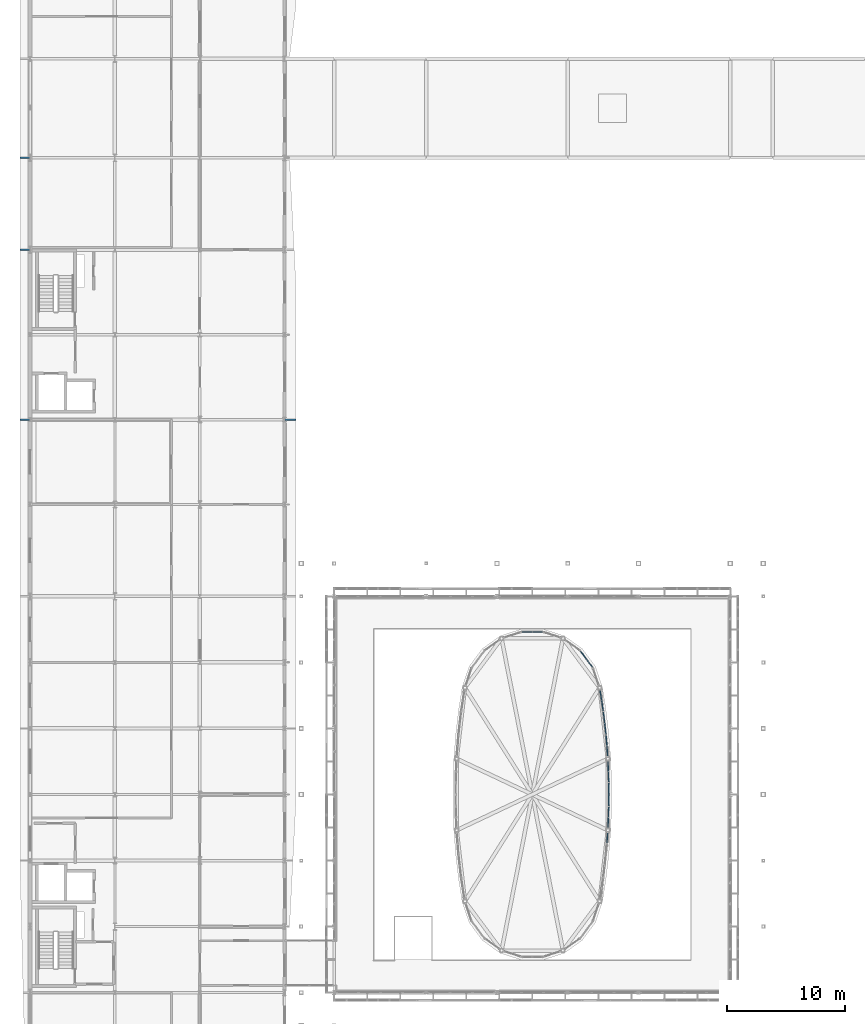
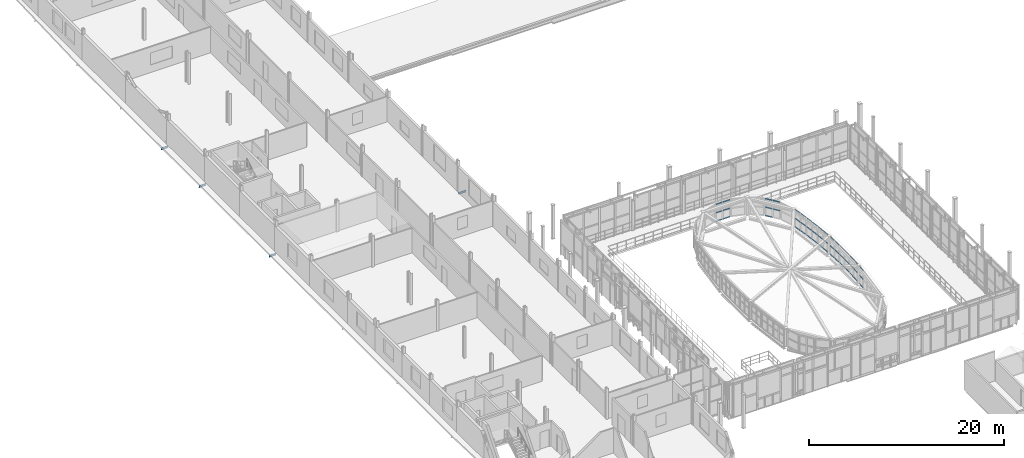
# One storey, part 47 of 78: 50 members, 4 beams, 9 elements without a shape of their own.
"""IFC4 building model written with IfcOpenShell, lengths in metres."""

from ifc_helpers import new_model, si_unit, direction, frame, origin, origin_2d, place, context, subcontext, project, spatial, hollow_rectangle, i_section, extrude, material, layer, layer_set, material_profile, profile_set, type_object, element, aggregate, save


model = new_model("IFC4")

# Units and contexts
model_context = context("Model", 3, precision=1e-05, world=origin(), true_north=direction((0.0, 1.0)))
body_context = subcontext(model_context, "Body", "Model", "MODEL_VIEW")
ifc_project = project(units=[si_unit("LENGTHUNIT", "METRE"), si_unit("AREAUNIT", "SQUARE_METRE"), si_unit("VOLUMEUNIT", "CUBIC_METRE"), si_unit("PLANEANGLEUNIT", "RADIAN"), si_unit("MASSUNIT", "GRAM", prefix="KILO")], contexts=[model_context])

# Site, building, storey
site_placement = place(None, origin())
site = spatial("IfcSite", under=ifc_project, at=site_placement, CompositionType="ELEMENT")
building_placement = place(site_placement, origin())
building = spatial("IfcBuilding", under=site, at=building_placement, Name="Vinh Khe Railworks Police Headquarters", CompositionType="ELEMENT")
storey_placement = place(building_placement, frame((0.0, 0.0, 13.199951171875)))
storey = spatial("IfcBuildingStorey", under=building, at=storey_placement, Name="L03", CompositionType="ELEMENT", Elevation=13.199951171875)

# Beams
ifc_material_1 = material(Name="Steel S355JR", Category="steel")
ifc_material_profile_1 = material_profile(ifc_material_1, i_section(OverallWidth=0.1201171875, OverallDepth=0.239990234375, WebThickness=0.006103515625, FlangeThickness=0.009765625, FilletRadius=0.014892578125, at=origin_2d()), Name="IPE 240")
ifc_profile_set_1 = profile_set([ifc_material_profile_1], Name="Steel S355JR")
beam_type = type_object("IfcBeamType", Name="Monsoon Hood Outrigger IPE 240", PredefinedType="BEAM", material=ifc_profile_set_1)
for number, where, z_axis, x_axis, name in (
    (1, (-0.25, 73.800048828125, -0.35986328125), (1.0, 0.0, 0.0), (0.0, 1.0, 0.0), "Monsoon Sun-Hood Outrigger L03-046"),
    (2, (-0.25, 88.199951171875, -0.35986328125), (1.0, 0.0, 0.0), (0.0, 1.0, 0.0), "Monsoon Sun-Hood Outrigger L03-047"),
    (3, (-0.25, 96.0, -0.35986328125), (1.0, 0.0, 0.0), (0.0, 1.0, 0.0), "Monsoon Sun-Hood Outrigger L03-048"),
):
    element("IfcBeam", number, at=place(storey_placement, frame(where, z_axis=z_axis, x_axis=x_axis)), inside=storey, type_object=beam_type, Name=name, PredefinedType="BEAM", context=body_context, shape_type="SweptSolid", body=[
        extrude(i_section(OverallWidth=0.1201171875, OverallDepth=0.239990234375, WebThickness=0.006103515625, FlangeThickness=0.009765625, FilletRadius=0.014892578125, at=origin_2d()), origin(), (0.0, 0.0, 1.0), 0.85009765625),
    ])
beam_placement = place(storey_placement, frame((22.199951171875, 73.800048828125, -0.35986328125), z_axis=(1.0, 0.0, 0.0), x_axis=(0.0, 1.0, 0.0)))
element("IfcBeam", 4, at=beam_placement, inside=storey, type_object=beam_type, Name="Monsoon Sun-Hood Outrigger L03-056", PredefinedType="BEAM", context=body_context, shape_type="SweptSolid", body=[
    extrude(i_section(OverallWidth=0.1201171875, OverallDepth=0.239990234375, WebThickness=0.006103515625, FlangeThickness=0.009765625, FilletRadius=0.014892578125, at=origin_2d()), origin(), (0.0, 0.0, 1.0), 0.949951171875),
])

# Curtain wall, members
ifc_material_2 = material(Name="Anodised aluminium and acoustic laminated glass", Category="aluminium")
ifc_layer = layer(ifc_material_2, 0.159912109375)
ifc_layer_set = layer_set([ifc_layer], Name="Anodised aluminium and acoustic laminated glass")
curtain_wall_type = type_object("IfcCurtainWallType", Name="CW-DRUM-CHORD", PredefinedType="USERDEFINED", material=ifc_layer_set)
curtain_wall_1_placement = place(storey_placement, origin())
curtain_wall_1 = element("IfcCurtainWall", 5, at=curtain_wall_1_placement, inside=storey, type_object=curtain_wall_type, Name="Elliptical Command Drum Glazing L03 Chord 3", ObjectType="DRUM FACADE GLAZING", PredefinedType="USERDEFINED")
ifc_material_3 = material(Name="Anodised aluminium 6063-T6", Category="aluminium")
ifc_material_profile_2 = material_profile(ifc_material_3, hollow_rectangle(XDim=0.06494140625, YDim=0.139892578125, WallThickness=0.00390625, at=origin_2d()), Name="CW-T 65x140x4")
ifc_profile_set_2 = profile_set([ifc_material_profile_2], Name="Anodised aluminium 6063-T6")
member_type = type_object("IfcMemberType", Name="TRAN-CWT-02", PredefinedType="USERDEFINED", material=ifc_profile_set_2)
member_1_placement = place(storey_placement, frame((49.530029296875, 37.9013671875, 0.032470703125), z_axis=(0.076855340427, 0.997042254194, 0.0), x_axis=(-0.997042254194, 0.076855340427, 0.0)))
member_1 = element("IfcMember", 6, at=member_1_placement, type_object=member_type, Name="CW-02 transom 2.1", ObjectType="TRANSOM", PredefinedType="USERDEFINED", context=body_context, shape_type="SweptSolid", body=[
    extrude(hollow_rectangle(XDim=0.06494140625, YDim=0.139892578125, WallThickness=0.00390625, at=origin_2d()), origin(), (0.0, 0.0, 1.0), 0.82275390625),
])
member_2_placement = place(storey_placement, frame((49.530029296875, 37.9013671875, 1.090087890625), z_axis=(0.076855340427, 0.997042254194, 0.0), x_axis=(-0.997042254194, 0.076855340427, 0.0)))
member_2 = element("IfcMember", 7, at=member_2_placement, type_object=member_type, Name="CW-02 transom 2.2", ObjectType="TRANSOM", PredefinedType="USERDEFINED", context=body_context, shape_type="SweptSolid", body=[
    extrude(hollow_rectangle(XDim=0.06494140625, YDim=0.139892578125, WallThickness=0.00390625, at=origin_2d()), origin(), (0.0, 0.0, 1.0), 0.82275390625),
])
member_3_placement = place(storey_placement, frame((49.530029296875, 37.9013671875, 2.1474609375), z_axis=(0.076855340427, 0.997042254194, 0.0), x_axis=(-0.997042254194, 0.076855340427, 0.0)))
member_3 = element("IfcMember", 8, at=member_3_placement, type_object=member_type, Name="CW-02 transom 2.3", ObjectType="TRANSOM", PredefinedType="USERDEFINED", context=body_context, shape_type="SweptSolid", body=[
    extrude(hollow_rectangle(XDim=0.06494140625, YDim=0.139892578125, WallThickness=0.00390625, at=origin_2d()), origin(), (0.0, 0.0, 1.0), 0.82275390625),
])
aggregate(curtain_wall_1, [member_1, member_2, member_3])

curtain_wall_2_placement = place(storey_placement, origin())
curtain_wall_2 = element("IfcCurtainWall", 9, at=curtain_wall_2_placement, inside=storey, type_object=curtain_wall_type, Name="Elliptical Command Drum Glazing L03 Chord 4", ObjectType="DRUM FACADE GLAZING", PredefinedType="USERDEFINED")
member_4_placement = place(storey_placement, frame((49.621826171875, 39.214599609375, 0.032470703125), z_axis=(0.038569853867, 0.999255906349, 0.0), x_axis=(-0.999255906349, 0.038569853867, 0.0)))
member_4 = element("IfcMember", 10, at=member_4_placement, type_object=member_type, Name="CW-02 transom 1.1", ObjectType="TRANSOM", PredefinedType="USERDEFINED", context=body_context, shape_type="SweptSolid", body=[
    extrude(hollow_rectangle(XDim=0.06494140625, YDim=0.139892578125, WallThickness=0.00390625, at=origin_2d()), origin(), (0.0, 0.0, 1.0), 0.822998046875),
])
member_5_placement = place(storey_placement, frame((49.621826171875, 39.214599609375, 1.090087890625), z_axis=(0.038569853867, 0.999255906349, 0.0), x_axis=(-0.999255906349, 0.038569853867, 0.0)))
member_5 = element("IfcMember", 11, at=member_5_placement, type_object=member_type, Name="CW-02 transom 1.2", ObjectType="TRANSOM", PredefinedType="USERDEFINED", context=body_context, shape_type="SweptSolid", body=[
    extrude(hollow_rectangle(XDim=0.06494140625, YDim=0.139892578125, WallThickness=0.00390625, at=origin_2d()), origin(), (0.0, 0.0, 1.0), 0.822998046875),
])
member_6_placement = place(storey_placement, frame((49.621826171875, 39.214599609375, 2.1474609375), z_axis=(0.038569853867, 0.999255906349, 0.0), x_axis=(-0.999255906349, 0.038569853867, 0.0)))
member_6 = element("IfcMember", 12, at=member_6_placement, type_object=member_type, Name="CW-02 transom 1.3", ObjectType="TRANSOM", PredefinedType="USERDEFINED", context=body_context, shape_type="SweptSolid", body=[
    extrude(hollow_rectangle(XDim=0.06494140625, YDim=0.139892578125, WallThickness=0.00390625, at=origin_2d()), origin(), (0.0, 0.0, 1.0), 0.822998046875),
])
member_7_placement = place(storey_placement, frame((49.656005859375, 40.101806640625, 0.032470703125), z_axis=(0.038581292077, 0.999255464785, 0.0), x_axis=(-0.999255464785, 0.038581292077, 0.0)))
member_7 = element("IfcMember", 13, at=member_7_placement, type_object=member_type, Name="CW-02 transom 2.1", ObjectType="TRANSOM", PredefinedType="USERDEFINED", context=body_context, shape_type="SweptSolid", body=[
    extrude(hollow_rectangle(XDim=0.06494140625, YDim=0.139892578125, WallThickness=0.00390625, at=origin_2d()), origin(), (0.0, 0.0, 1.0), 0.82275390625),
])
member_8_placement = place(storey_placement, frame((49.656005859375, 40.101806640625, 1.090087890625), z_axis=(0.038581292077, 0.999255464785, 0.0), x_axis=(-0.999255464785, 0.038581292077, 0.0)))
member_8 = element("IfcMember", 14, at=member_8_placement, type_object=member_type, Name="CW-02 transom 2.2", ObjectType="TRANSOM", PredefinedType="USERDEFINED", context=body_context, shape_type="SweptSolid", body=[
    extrude(hollow_rectangle(XDim=0.06494140625, YDim=0.139892578125, WallThickness=0.00390625, at=origin_2d()), origin(), (0.0, 0.0, 1.0), 0.82275390625),
])
member_9_placement = place(storey_placement, frame((49.656005859375, 40.101806640625, 2.1474609375), z_axis=(0.038581292077, 0.999255464785, 0.0), x_axis=(-0.999255464785, 0.038581292077, 0.0)))
member_9 = element("IfcMember", 15, at=member_9_placement, type_object=member_type, Name="CW-02 transom 2.3", ObjectType="TRANSOM", PredefinedType="USERDEFINED", context=body_context, shape_type="SweptSolid", body=[
    extrude(hollow_rectangle(XDim=0.06494140625, YDim=0.139892578125, WallThickness=0.00390625, at=origin_2d()), origin(), (0.0, 0.0, 1.0), 0.82275390625),
])
aggregate(curtain_wall_2, [member_4, member_5, member_6, member_7, member_8, member_9])

curtain_wall_3_placement = place(storey_placement, origin())
curtain_wall_3 = element("IfcCurtainWall", 16, at=curtain_wall_3_placement, inside=storey, type_object=curtain_wall_type, Name="Elliptical Command Drum Glazing L03 Chord 5", ObjectType="DRUM FACADE GLAZING", PredefinedType="USERDEFINED")
member_10_placement = place(storey_placement, frame((49.690185546875, 41.0537109375, 0.032470703125), z_axis=(0.0, 1.0, 0.0), x_axis=(-1.0, 0.0, 0.0)))
member_10 = element("IfcMember", 17, at=member_10_placement, type_object=member_type, Name="CW-02 transom 1.1", ObjectType="TRANSOM", PredefinedType="USERDEFINED", context=body_context, shape_type="SweptSolid", body=[
    extrude(hollow_rectangle(XDim=0.06494140625, YDim=0.139892578125, WallThickness=0.00390625, at=origin_2d()), origin(), (0.0, 0.0, 1.0), 0.913818359375),
])
member_11_placement = place(storey_placement, frame((49.690185546875, 41.0537109375, 1.090087890625), z_axis=(0.0, 1.0, 0.0), x_axis=(-1.0, 0.0, 0.0)))
member_11 = element("IfcMember", 18, at=member_11_placement, type_object=member_type, Name="CW-02 transom 1.2", ObjectType="TRANSOM", PredefinedType="USERDEFINED", context=body_context, shape_type="SweptSolid", body=[
    extrude(hollow_rectangle(XDim=0.06494140625, YDim=0.139892578125, WallThickness=0.00390625, at=origin_2d()), origin(), (0.0, 0.0, 1.0), 0.913818359375),
])
member_12_placement = place(storey_placement, frame((49.690185546875, 41.0537109375, 2.1474609375), z_axis=(0.0, 1.0, 0.0), x_axis=(-1.0, 0.0, 0.0)))
member_12 = element("IfcMember", 19, at=member_12_placement, type_object=member_type, Name="CW-02 transom 1.3", ObjectType="TRANSOM", PredefinedType="USERDEFINED", context=body_context, shape_type="SweptSolid", body=[
    extrude(hollow_rectangle(XDim=0.06494140625, YDim=0.139892578125, WallThickness=0.00390625, at=origin_2d()), origin(), (0.0, 0.0, 1.0), 0.913818359375),
])
member_13_placement = place(storey_placement, frame((49.690185546875, 42.032470703125, 0.032470703125), z_axis=(0.0, 1.0, 0.0), x_axis=(-1.0, 0.0, 0.0)))
member_13 = element("IfcMember", 20, at=member_13_placement, type_object=member_type, Name="CW-02 transom 2.1", ObjectType="TRANSOM", PredefinedType="USERDEFINED", context=body_context, shape_type="SweptSolid", body=[
    extrude(hollow_rectangle(XDim=0.06494140625, YDim=0.139892578125, WallThickness=0.00390625, at=origin_2d()), origin(), (0.0, 0.0, 1.0), 0.913818359375),
])
member_14_placement = place(storey_placement, frame((49.690185546875, 42.032470703125, 1.090087890625), z_axis=(0.0, 1.0, 0.0), x_axis=(-1.0, 0.0, 0.0)))
member_14 = element("IfcMember", 21, at=member_14_placement, type_object=member_type, Name="CW-02 transom 2.2", ObjectType="TRANSOM", PredefinedType="USERDEFINED", context=body_context, shape_type="SweptSolid", body=[
    extrude(hollow_rectangle(XDim=0.06494140625, YDim=0.139892578125, WallThickness=0.00390625, at=origin_2d()), origin(), (0.0, 0.0, 1.0), 0.913818359375),
])
member_15_placement = place(storey_placement, frame((49.690185546875, 42.032470703125, 2.1474609375), z_axis=(0.0, 1.0, 0.0), x_axis=(-1.0, 0.0, 0.0)))
member_15 = element("IfcMember", 22, at=member_15_placement, type_object=member_type, Name="CW-02 transom 2.3", ObjectType="TRANSOM", PredefinedType="USERDEFINED", context=body_context, shape_type="SweptSolid", body=[
    extrude(hollow_rectangle(XDim=0.06494140625, YDim=0.139892578125, WallThickness=0.00390625, at=origin_2d()), origin(), (0.0, 0.0, 1.0), 0.913818359375),
])
aggregate(curtain_wall_3, [member_10, member_11, member_12, member_13, member_14, member_15])

curtain_wall_4_placement = place(storey_placement, origin())
curtain_wall_4 = element("IfcCurtainWall", 23, at=curtain_wall_4_placement, inside=storey, type_object=curtain_wall_type, Name="Elliptical Command Drum Glazing L03 Chord 6", ObjectType="DRUM FACADE GLAZING", PredefinedType="USERDEFINED")
member_16_placement = place(storey_placement, frame((49.687744140625, 43.076171875, 0.032470703125), z_axis=(-0.038581292077, 0.999255464785, 0.0), x_axis=(-0.999255464785, -0.038581292077, 0.0)))
member_16 = element("IfcMember", 24, at=member_16_placement, type_object=member_type, Name="CW-02 transom 1.1", ObjectType="TRANSOM", PredefinedType="USERDEFINED", context=body_context, shape_type="SweptSolid", body=[
    extrude(hollow_rectangle(XDim=0.06494140625, YDim=0.139892578125, WallThickness=0.00390625, at=origin_2d()), origin(), (0.0, 0.0, 1.0), 0.82275390625),
])
member_17_placement = place(storey_placement, frame((49.687744140625, 43.076171875, 1.090087890625), z_axis=(-0.038581292077, 0.999255464785, 0.0), x_axis=(-0.999255464785, -0.038581292077, 0.0)))
member_17 = element("IfcMember", 25, at=member_17_placement, type_object=member_type, Name="CW-02 transom 1.2", ObjectType="TRANSOM", PredefinedType="USERDEFINED", context=body_context, shape_type="SweptSolid", body=[
    extrude(hollow_rectangle(XDim=0.06494140625, YDim=0.139892578125, WallThickness=0.00390625, at=origin_2d()), origin(), (0.0, 0.0, 1.0), 0.82275390625),
])
member_18_placement = place(storey_placement, frame((49.687744140625, 43.076171875, 2.1474609375), z_axis=(-0.038581292077, 0.999255464785, 0.0), x_axis=(-0.999255464785, -0.038581292077, 0.0)))
member_18 = element("IfcMember", 26, at=member_18_placement, type_object=member_type, Name="CW-02 transom 1.3", ObjectType="TRANSOM", PredefinedType="USERDEFINED", context=body_context, shape_type="SweptSolid", body=[
    extrude(hollow_rectangle(XDim=0.06494140625, YDim=0.139892578125, WallThickness=0.00390625, at=origin_2d()), origin(), (0.0, 0.0, 1.0), 0.82275390625),
])
member_19_placement = place(storey_placement, frame((49.653564453125, 43.963134765625, 0.032470703125), z_axis=(-0.038569853867, 0.999255906349, 0.0), x_axis=(-0.999255906349, -0.038569853867, 0.0)))
member_19 = element("IfcMember", 27, at=member_19_placement, type_object=member_type, Name="CW-02 transom 2.1", ObjectType="TRANSOM", PredefinedType="USERDEFINED", context=body_context, shape_type="SweptSolid", body=[
    extrude(hollow_rectangle(XDim=0.06494140625, YDim=0.139892578125, WallThickness=0.00390625, at=origin_2d()), origin(), (0.0, 0.0, 1.0), 0.822998046875),
])
member_20_placement = place(storey_placement, frame((49.653564453125, 43.963134765625, 1.090087890625), z_axis=(-0.038569853867, 0.999255906349, 0.0), x_axis=(-0.999255906349, -0.038569853867, 0.0)))
member_20 = element("IfcMember", 28, at=member_20_placement, type_object=member_type, Name="CW-02 transom 2.2", ObjectType="TRANSOM", PredefinedType="USERDEFINED", context=body_context, shape_type="SweptSolid", body=[
    extrude(hollow_rectangle(XDim=0.06494140625, YDim=0.139892578125, WallThickness=0.00390625, at=origin_2d()), origin(), (0.0, 0.0, 1.0), 0.822998046875),
])
member_21_placement = place(storey_placement, frame((49.653564453125, 43.963134765625, 2.1474609375), z_axis=(-0.038569853867, 0.999255906349, 0.0), x_axis=(-0.999255906349, -0.038569853867, 0.0)))
member_21 = element("IfcMember", 29, at=member_21_placement, type_object=member_type, Name="CW-02 transom 2.3", ObjectType="TRANSOM", PredefinedType="USERDEFINED", context=body_context, shape_type="SweptSolid", body=[
    extrude(hollow_rectangle(XDim=0.06494140625, YDim=0.139892578125, WallThickness=0.00390625, at=origin_2d()), origin(), (0.0, 0.0, 1.0), 0.822998046875),
])
aggregate(curtain_wall_4, [member_16, member_17, member_18, member_19, member_20, member_21])

curtain_wall_5_placement = place(storey_placement, origin())
curtain_wall_5 = element("IfcCurtainWall", 30, at=curtain_wall_5_placement, inside=storey, type_object=curtain_wall_type, Name="Elliptical Command Drum Glazing L03 Chord 7", ObjectType="DRUM FACADE GLAZING", PredefinedType="USERDEFINED")
member_22_placement = place(storey_placement, frame((49.59326171875, 45.2783203125, 0.032470703125), z_axis=(-0.076855340427, 0.997042254194, 0.0), x_axis=(-0.997042254194, -0.076855340427, 0.0)))
member_22 = element("IfcMember", 31, at=member_22_placement, type_object=member_type, Name="CW-02 transom 1.1", ObjectType="TRANSOM", PredefinedType="USERDEFINED", context=body_context, shape_type="SweptSolid", body=[
    extrude(hollow_rectangle(XDim=0.06494140625, YDim=0.139892578125, WallThickness=0.00390625, at=origin_2d()), origin(), (0.0, 0.0, 1.0), 0.82275390625),
])
member_23_placement = place(storey_placement, frame((49.59326171875, 45.2783203125, 1.090087890625), z_axis=(-0.076855340427, 0.997042254194, 0.0), x_axis=(-0.997042254194, -0.076855340427, 0.0)))
member_23 = element("IfcMember", 32, at=member_23_placement, type_object=member_type, Name="CW-02 transom 1.2", ObjectType="TRANSOM", PredefinedType="USERDEFINED", context=body_context, shape_type="SweptSolid", body=[
    extrude(hollow_rectangle(XDim=0.06494140625, YDim=0.139892578125, WallThickness=0.00390625, at=origin_2d()), origin(), (0.0, 0.0, 1.0), 0.82275390625),
])
member_24_placement = place(storey_placement, frame((49.59326171875, 45.2783203125, 2.1474609375), z_axis=(-0.076855340427, 0.997042254194, 0.0), x_axis=(-0.997042254194, -0.076855340427, 0.0)))
member_24 = element("IfcMember", 33, at=member_24_placement, type_object=member_type, Name="CW-02 transom 1.3", ObjectType="TRANSOM", PredefinedType="USERDEFINED", context=body_context, shape_type="SweptSolid", body=[
    extrude(hollow_rectangle(XDim=0.06494140625, YDim=0.139892578125, WallThickness=0.00390625, at=origin_2d()), origin(), (0.0, 0.0, 1.0), 0.82275390625),
])
member_25_placement = place(storey_placement, frame((49.525146484375, 46.163330078125, 0.032470703125), z_axis=(-0.07715031633, 0.997019472573, 0.0), x_axis=(-0.997019472573, -0.07715031633, 0.0)))
member_25 = element("IfcMember", 34, at=member_25_placement, type_object=member_type, Name="CW-02 transom 2.1", ObjectType="TRANSOM", PredefinedType="USERDEFINED", context=body_context, shape_type="SweptSolid", body=[
    extrude(hollow_rectangle(XDim=0.06494140625, YDim=0.139892578125, WallThickness=0.00390625, at=origin_2d()), origin(), (0.0, 0.0, 1.0), 0.82275390625),
])
member_26_placement = place(storey_placement, frame((49.525146484375, 46.163330078125, 1.090087890625), z_axis=(-0.07715031633, 0.997019472573, 0.0), x_axis=(-0.997019472573, -0.07715031633, 0.0)))
member_26 = element("IfcMember", 35, at=member_26_placement, type_object=member_type, Name="CW-02 transom 2.2", ObjectType="TRANSOM", PredefinedType="USERDEFINED", context=body_context, shape_type="SweptSolid", body=[
    extrude(hollow_rectangle(XDim=0.06494140625, YDim=0.139892578125, WallThickness=0.00390625, at=origin_2d()), origin(), (0.0, 0.0, 1.0), 0.82275390625),
])
member_27_placement = place(storey_placement, frame((49.525146484375, 46.163330078125, 2.1474609375), z_axis=(-0.07715031633, 0.997019472573, 0.0), x_axis=(-0.997019472573, -0.07715031633, 0.0)))
member_27 = element("IfcMember", 36, at=member_27_placement, type_object=member_type, Name="CW-02 transom 2.3", ObjectType="TRANSOM", PredefinedType="USERDEFINED", context=body_context, shape_type="SweptSolid", body=[
    extrude(hollow_rectangle(XDim=0.06494140625, YDim=0.139892578125, WallThickness=0.00390625, at=origin_2d()), origin(), (0.0, 0.0, 1.0), 0.82275390625),
])
aggregate(curtain_wall_5, [member_22, member_23, member_24, member_25, member_26, member_27])

curtain_wall_6_placement = place(storey_placement, origin())
curtain_wall_6 = element("IfcCurtainWall", 37, at=curtain_wall_6_placement, inside=storey, type_object=curtain_wall_type, Name="Elliptical Command Drum Glazing L03 Chord 8", ObjectType="DRUM FACADE GLAZING", PredefinedType="USERDEFINED")
member_28_placement = place(storey_placement, frame((49.44921875, 47.113037109375, 0.032470703125), z_axis=(-0.115415034378, 0.993317356055, 0.0), x_axis=(-0.993317356055, -0.115415034378, 0.0)))
member_28 = element("IfcMember", 38, at=member_28_placement, type_object=member_type, Name="CW-02 transom 1.1", ObjectType="TRANSOM", PredefinedType="USERDEFINED", context=body_context, shape_type="SweptSolid", body=[
    extrude(hollow_rectangle(XDim=0.06494140625, YDim=0.139892578125, WallThickness=0.00390625, at=origin_2d()), origin(), (0.0, 0.0, 1.0), 0.913818359375),
])
member_29_placement = place(storey_placement, frame((49.44921875, 47.113037109375, 1.090087890625), z_axis=(-0.115415034378, 0.993317356055, 0.0), x_axis=(-0.993317356055, -0.115415034378, 0.0)))
member_29 = element("IfcMember", 39, at=member_29_placement, type_object=member_type, Name="CW-02 transom 1.2", ObjectType="TRANSOM", PredefinedType="USERDEFINED", context=body_context, shape_type="SweptSolid", body=[
    extrude(hollow_rectangle(XDim=0.06494140625, YDim=0.139892578125, WallThickness=0.00390625, at=origin_2d()), origin(), (0.0, 0.0, 1.0), 0.913818359375),
])
member_30_placement = place(storey_placement, frame((49.44921875, 47.113037109375, 2.1474609375), z_axis=(-0.115415034378, 0.993317356055, 0.0), x_axis=(-0.993317356055, -0.115415034378, 0.0)))
member_30 = element("IfcMember", 40, at=member_30_placement, type_object=member_type, Name="CW-02 transom 1.3", ObjectType="TRANSOM", PredefinedType="USERDEFINED", context=body_context, shape_type="SweptSolid", body=[
    extrude(hollow_rectangle(XDim=0.06494140625, YDim=0.139892578125, WallThickness=0.00390625, at=origin_2d()), origin(), (0.0, 0.0, 1.0), 0.913818359375),
])
member_31_placement = place(storey_placement, frame((49.33642578125, 48.085205078125, 0.032470703125), z_axis=(-0.115415034378, 0.993317356055, 0.0), x_axis=(-0.993317356055, -0.115415034378, 0.0)))
member_31 = element("IfcMember", 41, at=member_31_placement, type_object=member_type, Name="CW-02 transom 2.1", ObjectType="TRANSOM", PredefinedType="USERDEFINED", context=body_context, shape_type="SweptSolid", body=[
    extrude(hollow_rectangle(XDim=0.06494140625, YDim=0.139892578125, WallThickness=0.00390625, at=origin_2d()), origin(), (0.0, 0.0, 1.0), 0.913818359375),
])
member_32_placement = place(storey_placement, frame((49.33642578125, 48.085205078125, 1.090087890625), z_axis=(-0.115415034378, 0.993317356055, 0.0), x_axis=(-0.993317356055, -0.115415034378, 0.0)))
member_32 = element("IfcMember", 42, at=member_32_placement, type_object=member_type, Name="CW-02 transom 2.2", ObjectType="TRANSOM", PredefinedType="USERDEFINED", context=body_context, shape_type="SweptSolid", body=[
    extrude(hollow_rectangle(XDim=0.06494140625, YDim=0.139892578125, WallThickness=0.00390625, at=origin_2d()), origin(), (0.0, 0.0, 1.0), 0.913818359375),
])
member_33_placement = place(storey_placement, frame((49.33642578125, 48.085205078125, 2.1474609375), z_axis=(-0.115415034378, 0.993317356055, 0.0), x_axis=(-0.993317356055, -0.115415034378, 0.0)))
member_33 = element("IfcMember", 43, at=member_33_placement, type_object=member_type, Name="CW-02 transom 2.3", ObjectType="TRANSOM", PredefinedType="USERDEFINED", context=body_context, shape_type="SweptSolid", body=[
    extrude(hollow_rectangle(XDim=0.06494140625, YDim=0.139892578125, WallThickness=0.00390625, at=origin_2d()), origin(), (0.0, 0.0, 1.0), 0.913818359375),
])
aggregate(curtain_wall_6, [member_28, member_29, member_30, member_31, member_32, member_33])

curtain_wall_7_placement = place(storey_placement, origin())
curtain_wall_7 = element("IfcCurtainWall", 44, at=curtain_wall_7_placement, inside=storey, type_object=curtain_wall_type, Name="Elliptical Command Drum Glazing L03 Chord 9", ObjectType="DRUM FACADE GLAZING", PredefinedType="USERDEFINED")
member_34_placement = place(storey_placement, frame((49.213623046875, 49.12158203125, 0.032470703125), z_axis=(-0.153707006282, 0.988116468955, 0.0), x_axis=(-0.988116468955, -0.153707006282, 0.0)))
member_34 = element("IfcMember", 45, at=member_34_placement, type_object=member_type, Name="CW-02 transom 1.1", ObjectType="TRANSOM", PredefinedType="USERDEFINED", context=body_context, shape_type="SweptSolid", body=[
    extrude(hollow_rectangle(XDim=0.06494140625, YDim=0.139892578125, WallThickness=0.00390625, at=origin_2d()), origin(), (0.0, 0.0, 1.0), 0.82275390625),
])
member_35_placement = place(storey_placement, frame((49.213623046875, 49.12158203125, 1.090087890625), z_axis=(-0.153707006282, 0.988116468955, 0.0), x_axis=(-0.988116468955, -0.153707006282, 0.0)))
member_35 = element("IfcMember", 46, at=member_35_placement, type_object=member_type, Name="CW-02 transom 1.2", ObjectType="TRANSOM", PredefinedType="USERDEFINED", context=body_context, shape_type="SweptSolid", body=[
    extrude(hollow_rectangle(XDim=0.06494140625, YDim=0.139892578125, WallThickness=0.00390625, at=origin_2d()), origin(), (0.0, 0.0, 1.0), 0.82275390625),
])
member_36_placement = place(storey_placement, frame((49.213623046875, 49.12158203125, 2.1474609375), z_axis=(-0.153707006282, 0.988116468955, 0.0), x_axis=(-0.988116468955, -0.153707006282, 0.0)))
member_36 = element("IfcMember", 47, at=member_36_placement, type_object=member_type, Name="CW-02 transom 1.3", ObjectType="TRANSOM", PredefinedType="USERDEFINED", context=body_context, shape_type="SweptSolid", body=[
    extrude(hollow_rectangle(XDim=0.06494140625, YDim=0.139892578125, WallThickness=0.00390625, at=origin_2d()), origin(), (0.0, 0.0, 1.0), 0.82275390625),
])
member_37_placement = place(storey_placement, frame((49.0771484375, 49.998779296875, 0.032470703125), z_axis=(-0.153417265336, 0.988161496263, 0.0), x_axis=(-0.988161496263, -0.153417265336, 0.0)))
member_37 = element("IfcMember", 48, at=member_37_placement, type_object=member_type, Name="CW-02 transom 2.1", ObjectType="TRANSOM", PredefinedType="USERDEFINED", context=body_context, shape_type="SweptSolid", body=[
    extrude(hollow_rectangle(XDim=0.06494140625, YDim=0.139892578125, WallThickness=0.00390625, at=origin_2d()), origin(), (0.0, 0.0, 1.0), 0.82275390625),
])
member_38_placement = place(storey_placement, frame((49.0771484375, 49.998779296875, 1.090087890625), z_axis=(-0.153417265336, 0.988161496263, 0.0), x_axis=(-0.988161496263, -0.153417265336, 0.0)))
member_38 = element("IfcMember", 49, at=member_38_placement, type_object=member_type, Name="CW-02 transom 2.2", ObjectType="TRANSOM", PredefinedType="USERDEFINED", context=body_context, shape_type="SweptSolid", body=[
    extrude(hollow_rectangle(XDim=0.06494140625, YDim=0.139892578125, WallThickness=0.00390625, at=origin_2d()), origin(), (0.0, 0.0, 1.0), 0.82275390625),
])
member_39_placement = place(storey_placement, frame((49.0771484375, 49.998779296875, 2.1474609375), z_axis=(-0.153417265336, 0.988161496263, 0.0), x_axis=(-0.988161496263, -0.153417265336, 0.0)))
member_39 = element("IfcMember", 50, at=member_39_placement, type_object=member_type, Name="CW-02 transom 2.3", ObjectType="TRANSOM", PredefinedType="USERDEFINED", context=body_context, shape_type="SweptSolid", body=[
    extrude(hollow_rectangle(XDim=0.06494140625, YDim=0.139892578125, WallThickness=0.00390625, at=origin_2d()), origin(), (0.0, 0.0, 1.0), 0.82275390625),
])
aggregate(curtain_wall_7, [member_34, member_35, member_36, member_37, member_38, member_39])

curtain_wall_8_placement = place(storey_placement, origin())
curtain_wall_8 = element("IfcCurtainWall", 51, at=curtain_wall_8_placement, inside=storey, type_object=curtain_wall_type, Name="Elliptical Command Drum Glazing L03 Chord 11", ObjectType="DRUM FACADE GLAZING", PredefinedType="USERDEFINED")
member_40_placement = place(storey_placement, frame((48.29541015625, 52.805908203125, 1.090087890625), z_axis=(-0.596672514384, 0.802484835108, 0.0), x_axis=(-0.802484835108, -0.596672514384, 0.0)))
member_40 = element("IfcMember", 52, at=member_40_placement, type_object=member_type, Name="CW-02 transom 1.2", ObjectType="TRANSOM", PredefinedType="USERDEFINED", context=body_context, shape_type="SweptSolid", body=[
    extrude(hollow_rectangle(XDim=0.06494140625, YDim=0.139892578125, WallThickness=0.00390625, at=origin_2d()), origin(), (0.0, 0.0, 1.0), 0.799560546875),
])
member_41_placement = place(storey_placement, frame((48.29541015625, 52.805908203125, 2.1474609375), z_axis=(-0.596672514384, 0.802484835108, 0.0), x_axis=(-0.802484835108, -0.596672514384, 0.0)))
member_41 = element("IfcMember", 53, at=member_41_placement, type_object=member_type, Name="CW-02 transom 1.3", ObjectType="TRANSOM", PredefinedType="USERDEFINED", context=body_context, shape_type="SweptSolid", body=[
    extrude(hollow_rectangle(XDim=0.06494140625, YDim=0.139892578125, WallThickness=0.00390625, at=origin_2d()), origin(), (0.0, 0.0, 1.0), 0.799560546875),
])
member_42_placement = place(storey_placement, frame((47.779541015625, 53.499755859375, 0.032470703125), z_axis=(-0.596475814623, 0.802631050091, 0.0), x_axis=(-0.802631050091, -0.596475814623, 0.0)))
member_42 = element("IfcMember", 54, at=member_42_placement, type_object=member_type, Name="CW-02 transom 2.1", ObjectType="TRANSOM", PredefinedType="USERDEFINED", context=body_context, shape_type="SweptSolid", body=[
    extrude(hollow_rectangle(XDim=0.06494140625, YDim=0.139892578125, WallThickness=0.00390625, at=origin_2d()), origin(), (0.0, 0.0, 1.0), 0.79931640625),
])
member_43_placement = place(storey_placement, frame((47.779541015625, 53.499755859375, 1.090087890625), z_axis=(-0.596475814623, 0.802631050091, 0.0), x_axis=(-0.802631050091, -0.596475814623, 0.0)))
member_43 = element("IfcMember", 55, at=member_43_placement, type_object=member_type, Name="CW-02 transom 2.2", ObjectType="TRANSOM", PredefinedType="USERDEFINED", context=body_context, shape_type="SweptSolid", body=[
    extrude(hollow_rectangle(XDim=0.06494140625, YDim=0.139892578125, WallThickness=0.00390625, at=origin_2d()), origin(), (0.0, 0.0, 1.0), 0.79931640625),
])
member_44_placement = place(storey_placement, frame((47.779541015625, 53.499755859375, 2.1474609375), z_axis=(-0.596475814623, 0.802631050091, 0.0), x_axis=(-0.802631050091, -0.596475814623, 0.0)))
member_44 = element("IfcMember", 56, at=member_44_placement, type_object=member_type, Name="CW-02 transom 2.3", ObjectType="TRANSOM", PredefinedType="USERDEFINED", context=body_context, shape_type="SweptSolid", body=[
    extrude(hollow_rectangle(XDim=0.06494140625, YDim=0.139892578125, WallThickness=0.00390625, at=origin_2d()), origin(), (0.0, 0.0, 1.0), 0.79931640625),
])
aggregate(curtain_wall_8, [member_40, member_41, member_42, member_43, member_44])

curtain_wall_9_placement = place(storey_placement, origin())
curtain_wall_9 = element("IfcCurtainWall", 57, at=curtain_wall_9_placement, inside=storey, type_object=curtain_wall_type, Name="Elliptical Command Drum Glazing L03 Chord 14", ObjectType="DRUM FACADE GLAZING", PredefinedType="USERDEFINED")
member_45_placement = place(storey_placement, frame((44.031982421875, 55.78564453125, 0.032470703125), z_axis=(-1.0, 0.0, 0.0), x_axis=(0.0, -1.0, 0.0)))
member_45 = element("IfcMember", 58, at=member_45_placement, type_object=member_type, Name="CW-02 transom 1.1", ObjectType="TRANSOM", PredefinedType="USERDEFINED", context=body_context, shape_type="SweptSolid", body=[
    extrude(hollow_rectangle(XDim=0.06494140625, YDim=0.139892578125, WallThickness=0.00390625, at=origin_2d()), origin(), (0.0, 0.0, 1.0), 0.799560546875),
])
member_46_placement = place(storey_placement, frame((44.031982421875, 55.78564453125, 1.090087890625), z_axis=(-1.0, 0.0, 0.0), x_axis=(0.0, -1.0, 0.0)))
member_46 = element("IfcMember", 59, at=member_46_placement, type_object=member_type, Name="CW-02 transom 1.2", ObjectType="TRANSOM", PredefinedType="USERDEFINED", context=body_context, shape_type="SweptSolid", body=[
    extrude(hollow_rectangle(XDim=0.06494140625, YDim=0.139892578125, WallThickness=0.00390625, at=origin_2d()), origin(), (0.0, 0.0, 1.0), 0.799560546875),
])
member_47_placement = place(storey_placement, frame((44.031982421875, 55.78564453125, 2.1474609375), z_axis=(-1.0, 0.0, 0.0), x_axis=(0.0, -1.0, 0.0)))
member_47 = element("IfcMember", 60, at=member_47_placement, type_object=member_type, Name="CW-02 transom 1.3", ObjectType="TRANSOM", PredefinedType="USERDEFINED", context=body_context, shape_type="SweptSolid", body=[
    extrude(hollow_rectangle(XDim=0.06494140625, YDim=0.139892578125, WallThickness=0.00390625, at=origin_2d()), origin(), (0.0, 0.0, 1.0), 0.799560546875),
])
member_48_placement = place(storey_placement, frame((43.16748046875, 55.78564453125, 0.032470703125), z_axis=(-1.0, 0.0, 0.0), x_axis=(0.0, -1.0, 0.0)))
member_48 = element("IfcMember", 61, at=member_48_placement, type_object=member_type, Name="CW-02 transom 2.1", ObjectType="TRANSOM", PredefinedType="USERDEFINED", context=body_context, shape_type="SweptSolid", body=[
    extrude(hollow_rectangle(XDim=0.06494140625, YDim=0.139892578125, WallThickness=0.00390625, at=origin_2d()), origin(), (0.0, 0.0, 1.0), 0.799560546875),
])
member_49_placement = place(storey_placement, frame((43.16748046875, 55.78564453125, 1.090087890625), z_axis=(-1.0, 0.0, 0.0), x_axis=(0.0, -1.0, 0.0)))
member_49 = element("IfcMember", 62, at=member_49_placement, type_object=member_type, Name="CW-02 transom 2.2", ObjectType="TRANSOM", PredefinedType="USERDEFINED", context=body_context, shape_type="SweptSolid", body=[
    extrude(hollow_rectangle(XDim=0.06494140625, YDim=0.139892578125, WallThickness=0.00390625, at=origin_2d()), origin(), (0.0, 0.0, 1.0), 0.799560546875),
])
member_50_placement = place(storey_placement, frame((43.16748046875, 55.78564453125, 2.1474609375), z_axis=(-1.0, 0.0, 0.0), x_axis=(0.0, -1.0, 0.0)))
member_50 = element("IfcMember", 63, at=member_50_placement, type_object=member_type, Name="CW-02 transom 2.3", ObjectType="TRANSOM", PredefinedType="USERDEFINED", context=body_context, shape_type="SweptSolid", body=[
    extrude(hollow_rectangle(XDim=0.06494140625, YDim=0.139892578125, WallThickness=0.00390625, at=origin_2d()), origin(), (0.0, 0.0, 1.0), 0.799560546875),
])
aggregate(curtain_wall_9, [member_45, member_46, member_47, member_48, member_49, member_50])

save(model, "model.ifc")
